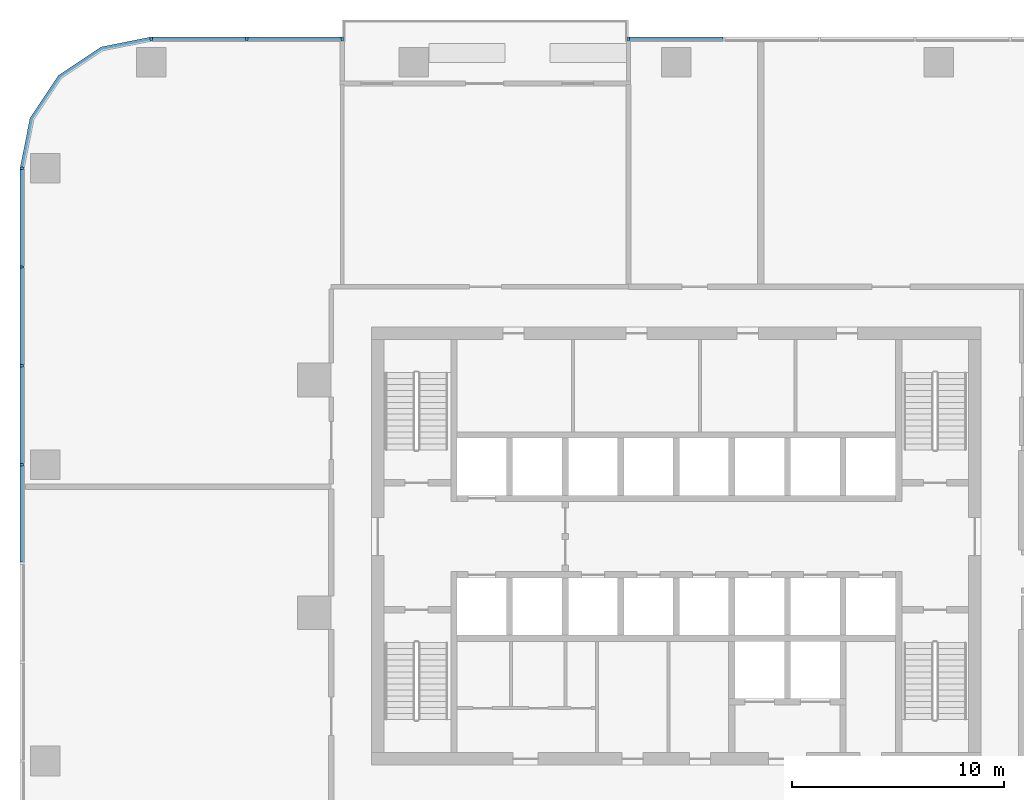
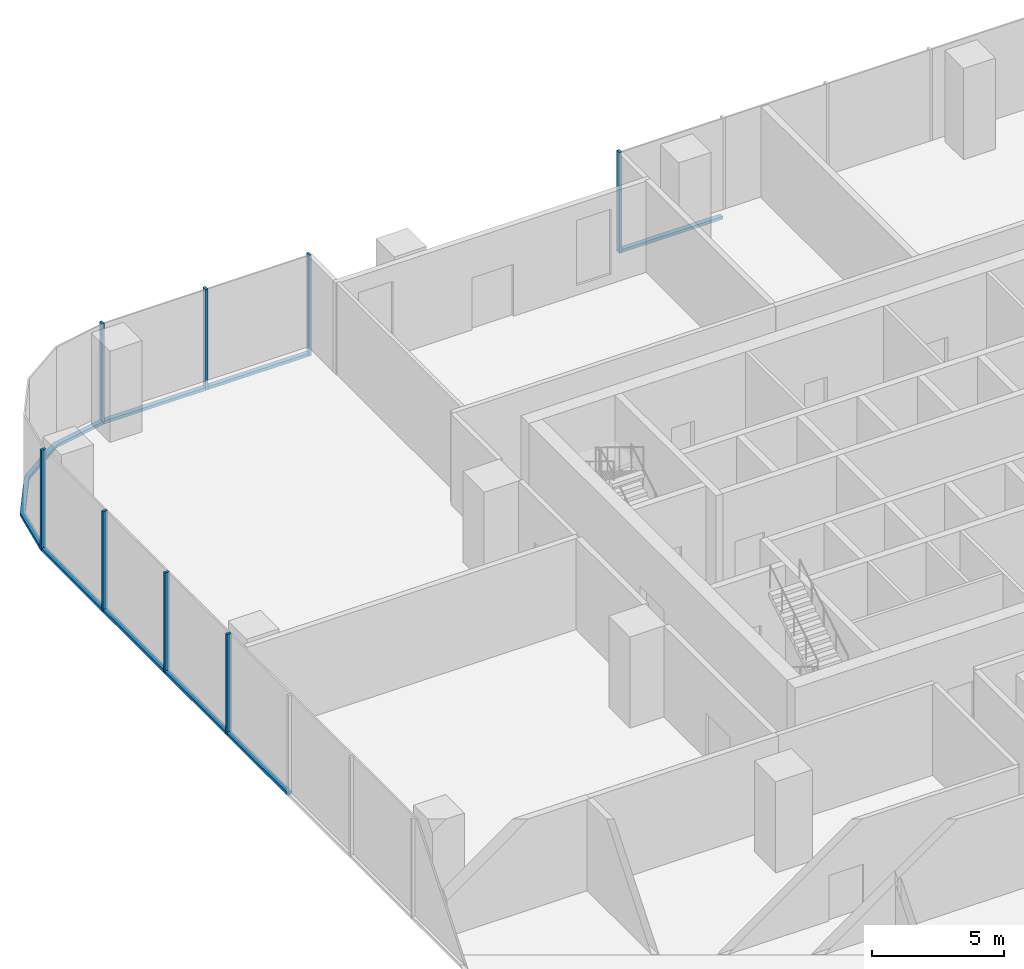
# One storey, part 4 of 15: 16 members, 4 elements without a shape of their own.
"""IFC4 building model written with IfcOpenShell, lengths in metres."""

from ifc_helpers import new_model, si_unit, direction, frame, origin, origin_2d, place, context, subcontext, project, spatial, polyline, rectangle, outline, extrude, material, material_profile, profile_set, type_object, element, aggregate, save


model = new_model("IFC4")

# Units and contexts
model_context = context("Model", 3, precision=1e-05, world=origin(), true_north=direction((0.0, 1.0)))
body_context = subcontext(model_context, "Body", "Model", "MODEL_VIEW")
ifc_project = project(units=[si_unit("LENGTHUNIT", "METRE"), si_unit("AREAUNIT", "SQUARE_METRE"), si_unit("VOLUMEUNIT", "CUBIC_METRE"), si_unit("PLANEANGLEUNIT", "RADIAN"), si_unit("MASSUNIT", "GRAM", prefix="KILO")], contexts=[model_context])

# Site, building, storey
site_placement = place(None, origin())
site = spatial("IfcSite", under=ifc_project, at=site_placement, CompositionType="ELEMENT")
building_placement = place(site_placement, origin())
building = spatial("IfcBuilding", under=site, at=building_placement, Name="Mopane Tessera Tower", CompositionType="ELEMENT")
storey_placement = place(building_placement, frame((0.0, 0.0, 83.800048828125)))
storey = spatial("IfcBuildingStorey", under=building, at=storey_placement, Name="L16", CompositionType="ELEMENT", Elevation=83.800048828125)

# Curtain wall, member
ifc_material_1 = material(Name="Aluminium frame", Category="aluminium")
curtain_wall_type = type_object("IfcCurtainWallType", Name="Lower tower unitised wall", PredefinedType="NOTDEFINED", material=ifc_material_1)
curtain_wall_1_placement = place(storey_placement, origin())
curtain_wall_1 = element("IfcCurtainWall", 1, at=curtain_wall_1_placement, inside=storey, type_object=curtain_wall_type, Name="e:cw:L16:N:0", PredefinedType="NOTDEFINED")
ifc_material_2 = material(Name="Aluminium frame", Category="aluminium")
ifc_material_profile_1 = material_profile(ifc_material_2, rectangle(XDim=0.110107421875, YDim=0.199951171875, at=origin_2d()))
ifc_profile_set_1 = profile_set([ifc_material_profile_1], Name="Aluminium frame")
member_type_1 = type_object("IfcMemberType", Name="Aluminium mullion 110 x 200", PredefinedType="MULLION", material=ifc_profile_set_1)
member_1_placement = place(storey_placement, frame((-2.254638671875, 27.10009765625, -0.449951171875), z_axis=(0.0, 0.0, 1.0), x_axis=(-1.0, 0.0, 0.0)))
member_1 = element("IfcMember", 2, at=member_1_placement, type_object=member_type_1, Name="e:cw:L16:N:0:mu6", PredefinedType="MULLION", context=body_context, shape_type="SweptSolid", body=[
    extrude(rectangle(XDim=0.110107421875, YDim=0.199951171875, at=origin_2d()), origin(), (0.0, 0.0, 1.0), 4.64990234375),
])

# Curtain wall, members
curtain_wall_2_placement = place(storey_placement, origin())
curtain_wall_2 = element("IfcCurtainWall", 3, at=curtain_wall_2_placement, inside=storey, type_object=curtain_wall_type, Name="e:cw:L16:N:9", PredefinedType="NOTDEFINED")
member_2_placement = place(storey_placement, frame((-15.78173828125, 27.10009765625, -0.449951171875), z_axis=(0.0, 0.0, 1.0), x_axis=(-1.0, 0.0, 0.0)))
member_2 = element("IfcMember", 4, at=member_2_placement, type_object=member_type_1, Name="e:cw:L16:N:9:mu9", PredefinedType="MULLION", context=body_context, shape_type="SweptSolid", body=[
    extrude(rectangle(XDim=0.110107421875, YDim=0.199951171875, at=origin_2d()), origin(), (0.0, 0.0, 1.0), 4.64990234375),
])
member_3_placement = place(storey_placement, frame((-20.291015625, 27.10009765625, -0.449951171875), z_axis=(0.0, 0.0, 1.0), x_axis=(-1.0, 0.0, 0.0)))
member_3 = element("IfcMember", 5, at=member_3_placement, type_object=member_type_1, Name="e:cw:L16:N:9:mu10", PredefinedType="MULLION", context=body_context, shape_type="SweptSolid", body=[
    extrude(rectangle(XDim=0.110107421875, YDim=0.199951171875, at=origin_2d()), origin(), (0.0, 0.0, 1.0), 4.64990234375),
])
member_4_placement = place(storey_placement, frame((-24.800048828125, 27.10009765625, -0.449951171875), z_axis=(0.0, 0.0, 1.0), x_axis=(-1.0, 0.0, 0.0)))
member_4 = element("IfcMember", 6, at=member_4_placement, type_object=member_type_1, Name="e:cw:L16:N:9:mu11", PredefinedType="MULLION", context=body_context, shape_type="SweptSolid", body=[
    extrude(rectangle(XDim=0.110107421875, YDim=0.199951171875, at=origin_2d()), origin(), (0.0, 0.0, 1.0), 4.64990234375),
])

curtain_wall_3_placement = place(storey_placement, origin())
curtain_wall_3 = element("IfcCurtainWall", 7, at=curtain_wall_3_placement, inside=storey, type_object=curtain_wall_type, Name="e:cw:L16:W:0", PredefinedType="NOTDEFINED")
member_5_placement = place(storey_placement, frame((-30.89990234375, 21.0, -0.449951171875), z_axis=(0.0, 0.0, 1.0), x_axis=(0.0, -1.0, 0.0)))
member_5 = element("IfcMember", 8, at=member_5_placement, type_object=member_type_1, Name="e:cw:L16:W:0:mu0", PredefinedType="MULLION", context=body_context, shape_type="SweptSolid", body=[
    extrude(rectangle(XDim=0.110107421875, YDim=0.199951171875, at=origin_2d()), origin(), (0.0, 0.0, 1.0), 4.64990234375),
])
member_6_placement = place(storey_placement, frame((-30.89990234375, 16.333251953125, -0.449951171875), z_axis=(0.0, 0.0, 1.0), x_axis=(0.0, -1.0, 0.0)))
member_6 = element("IfcMember", 9, at=member_6_placement, type_object=member_type_1, Name="e:cw:L16:W:0:mu1", PredefinedType="MULLION", context=body_context, shape_type="SweptSolid", body=[
    extrude(rectangle(XDim=0.110107421875, YDim=0.199951171875, at=origin_2d()), origin(), (0.0, 0.0, 1.0), 4.64990234375),
])
member_7_placement = place(storey_placement, frame((-30.89990234375, 11.666748046875, -0.449951171875), z_axis=(0.0, 0.0, 1.0), x_axis=(0.0, -1.0, 0.0)))
member_7 = element("IfcMember", 10, at=member_7_placement, type_object=member_type_1, Name="e:cw:L16:W:0:mu2", PredefinedType="MULLION", context=body_context, shape_type="SweptSolid", body=[
    extrude(rectangle(XDim=0.110107421875, YDim=0.199951171875, at=origin_2d()), origin(), (0.0, 0.0, 1.0), 4.64990234375),
])
member_8_placement = place(storey_placement, frame((-30.89990234375, 7.0, -0.449951171875), z_axis=(0.0, 0.0, 1.0), x_axis=(0.0, -1.0, 0.0)))
member_8 = element("IfcMember", 11, at=member_8_placement, type_object=member_type_1, Name="e:cw:L16:W:0:mu3", PredefinedType="MULLION", context=body_context, shape_type="SweptSolid", body=[
    extrude(rectangle(XDim=0.110107421875, YDim=0.199951171875, at=origin_2d()), origin(), (0.0, 0.0, 1.0), 4.64990234375),
])

# Member
ifc_material_3 = material(Name="Aluminium frame", Category="aluminium")
ifc_material_profile_2 = material_profile(ifc_material_3, rectangle(XDim=0.199951171875, YDim=0.139892578125, at=origin_2d()))
ifc_profile_set_2 = profile_set([ifc_material_profile_2], Name="Aluminium frame")
member_type_2 = type_object("IfcMemberType", Name="Aluminium transom 200 x 140", PredefinedType="USERDEFINED", material=ifc_profile_set_2)
member_9_placement = place(storey_placement, frame((2.199462890625, 27.10009765625, -0.380126953125), z_axis=(-1.0, 0.0, 0.0), x_axis=(0.0, -1.0, 0.0)))
member_9 = element("IfcMember", 12, at=member_9_placement, type_object=member_type_2, Name="e:cw:L16:N:0:tr5", ObjectType="TRANSOM", PredefinedType="USERDEFINED", context=body_context, shape_type="SweptSolid", body=[
    extrude(rectangle(XDim=0.199951171875, YDim=0.139892578125, at=origin_2d()), origin(), (0.0, 0.0, 1.0), 4.39892578125),
])

aggregate(curtain_wall_1, [member_1, member_9])

member_10_placement = place(storey_placement, frame((-15.8369140625, 27.10009765625, -0.380126953125), z_axis=(-1.0, 0.0, 0.0), x_axis=(0.0, -1.0, 0.0)))
member_10 = element("IfcMember", 13, at=member_10_placement, type_object=member_type_2, Name="e:cw:L16:N:9:tr9", ObjectType="TRANSOM", PredefinedType="USERDEFINED", context=body_context, shape_type="SweptSolid", body=[
    extrude(rectangle(XDim=0.199951171875, YDim=0.139892578125, at=origin_2d()), origin(), (0.0, 0.0, 1.0), 4.39892578125),
])

member_11_placement = place(storey_placement, frame((-20.345947265625, 27.10009765625, -0.380126953125), z_axis=(-1.0, 0.0, 0.0), x_axis=(0.0, -1.0, 0.0)))
member_11 = element("IfcMember", 14, at=member_11_placement, type_object=member_type_2, Name="e:cw:L16:N:9:tr10", ObjectType="TRANSOM", PredefinedType="USERDEFINED", context=body_context, shape_type="SweptSolid", body=[
    extrude(rectangle(XDim=0.199951171875, YDim=0.139892578125, at=origin_2d()), origin(), (0.0, 0.0, 1.0), 4.399169921875),
])

aggregate(curtain_wall_2, [member_2, member_3, member_4, member_10, member_11])

# Curtain wall, member
curtain_wall_4_placement = place(storey_placement, origin())
curtain_wall_4 = element("IfcCurtainWall", 15, at=curtain_wall_4_placement, inside=storey, type_object=curtain_wall_type, Name="e:cw:L16:CN", PredefinedType="NOTDEFINED")
member_12_placement = place(storey_placement, frame((0.0, 0.0, -0.449951171875)))
member_12 = element("IfcMember", 16, at=member_12_placement, type_object=member_type_2, Name="e:cw:L16:CN:tr", ObjectType="TRANSOM", PredefinedType="USERDEFINED", context=body_context, shape_type="SweptSolid", body=[
    extrude(outline(polyline([(-24.800048828125, 27.0), (-27.09619140625, 26.543212890625), (-29.042724609375, 25.24267578125), (-30.34326171875, 23.296142578125), (-30.800048828125, 21.0), (-31.0, 21.0), (-30.528076171875, 23.37255859375), (-29.18408203125, 25.384033203125), (-27.172607421875, 26.72802734375), (-24.800048828125, 27.199951171875), (-24.800048828125, 27.0)])), origin(), (0.0, 0.0, 1.0), 0.139892578125),
])
aggregate(curtain_wall_4, [member_12])

# Member
member_13_placement = place(storey_placement, frame((-30.89990234375, 20.945068359375, -0.380126953125), z_axis=(0.0, -1.0, 0.0), x_axis=(1.0, 0.0, 0.0)))
member_13 = element("IfcMember", 17, at=member_13_placement, type_object=member_type_2, Name="e:cw:L16:W:0:tr0", ObjectType="TRANSOM", PredefinedType="USERDEFINED", context=body_context, shape_type="SweptSolid", body=[
    extrude(rectangle(XDim=0.199951171875, YDim=0.139892578125, at=origin_2d()), origin(), (0.0, 0.0, 1.0), 4.556640625),
])

member_14_placement = place(storey_placement, frame((-30.89990234375, 16.2783203125, -0.380126953125), z_axis=(0.0, -1.0, 0.0), x_axis=(1.0, 0.0, 0.0)))
member_14 = element("IfcMember", 18, at=member_14_placement, type_object=member_type_2, Name="e:cw:L16:W:0:tr1", ObjectType="TRANSOM", PredefinedType="USERDEFINED", context=body_context, shape_type="SweptSolid", body=[
    extrude(rectangle(XDim=0.199951171875, YDim=0.139892578125, at=origin_2d()), origin(), (0.0, 0.0, 1.0), 4.556640625),
])

member_15_placement = place(storey_placement, frame((-30.89990234375, 11.611572265625, -0.380126953125), z_axis=(0.0, -1.0, 0.0), x_axis=(1.0, 0.0, 0.0)))
member_15 = element("IfcMember", 19, at=member_15_placement, type_object=member_type_2, Name="e:cw:L16:W:0:tr2", ObjectType="TRANSOM", PredefinedType="USERDEFINED", context=body_context, shape_type="SweptSolid", body=[
    extrude(rectangle(XDim=0.199951171875, YDim=0.139892578125, at=origin_2d()), origin(), (0.0, 0.0, 1.0), 4.556640625),
])

member_16_placement = place(storey_placement, frame((-30.89990234375, 6.945068359375, -0.380126953125), z_axis=(0.0, -1.0, 0.0), x_axis=(1.0, 0.0, 0.0)))
member_16 = element("IfcMember", 20, at=member_16_placement, type_object=member_type_2, Name="e:cw:L16:W:0:tr3", ObjectType="TRANSOM", PredefinedType="USERDEFINED", context=body_context, shape_type="SweptSolid", body=[
    extrude(rectangle(XDim=0.199951171875, YDim=0.139892578125, at=origin_2d()), origin(), (0.0, 0.0, 1.0), 4.556640625),
])

aggregate(curtain_wall_3, [member_5, member_6, member_7, member_8, member_13, member_14, member_15, member_16])

save(model, "model.ifc")
